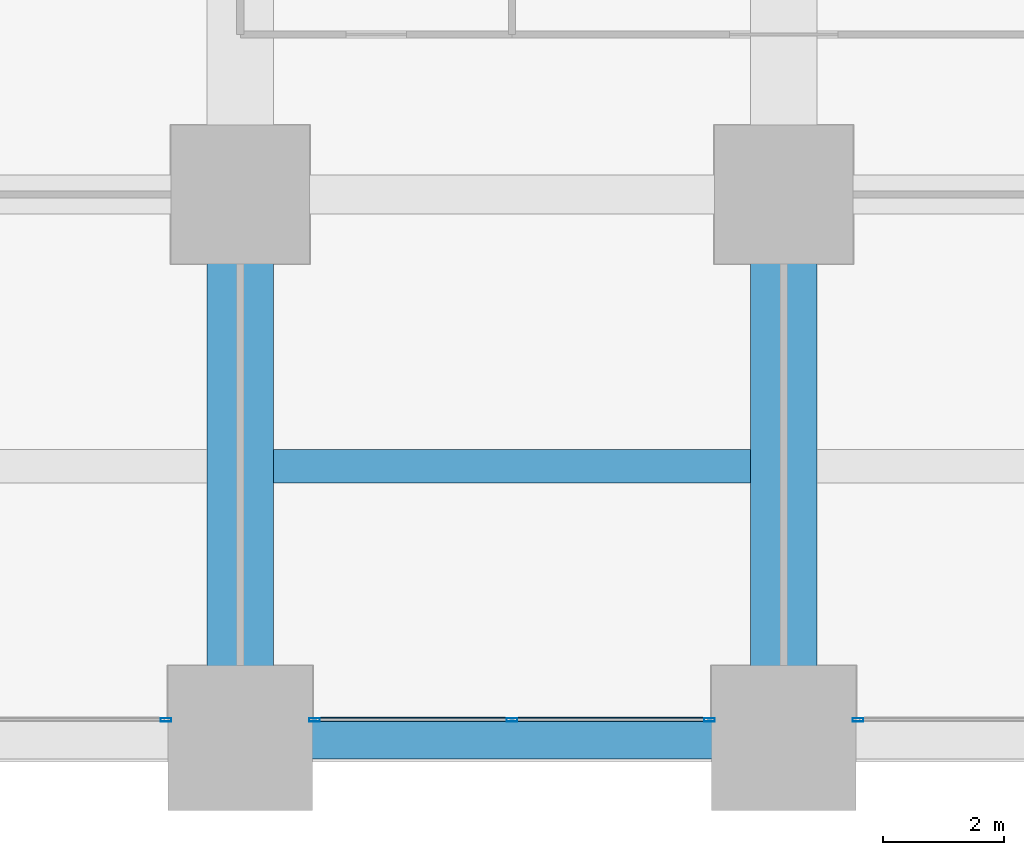
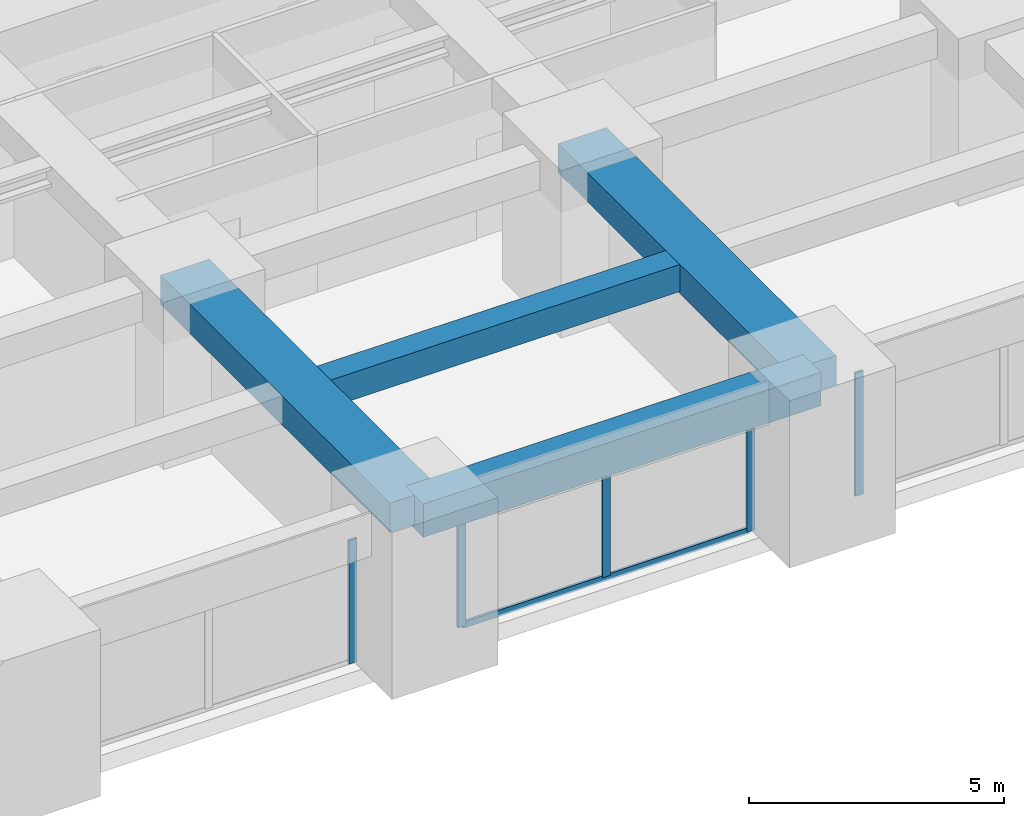
# One storey, part 10 of 38: 6 members, 4 beams, 3 elements without a shape of their own.
"""IFC4 building model written with IfcOpenShell, lengths in metres."""

from ifc_helpers import new_model, si_unit, direction, frame, origin, origin_2d, place, context, subcontext, project, spatial, rectangle, hollow_rectangle, extrude, material, material_profile, profile_set, type_object, element, aggregate, save


model = new_model("IFC4")

# Units and contexts
model_context = context("Model", 3, precision=1e-05, world=origin(), true_north=direction((0.0, 1.0)))
body_context = subcontext(model_context, "Body", "Model", "MODEL_VIEW")
ifc_project = project(units=[si_unit("LENGTHUNIT", "METRE"), si_unit("AREAUNIT", "SQUARE_METRE"), si_unit("VOLUMEUNIT", "CUBIC_METRE"), si_unit("PLANEANGLEUNIT", "RADIAN"), si_unit("MASSUNIT", "GRAM", prefix="KILO")], contexts=[model_context])

# Site, building, storey
site_placement = place(None, origin())
site = spatial("IfcSite", under=ifc_project, at=site_placement, CompositionType="ELEMENT")
building_placement = place(site_placement, origin())
building = spatial("IfcBuilding", under=site, at=building_placement, Name="Zorevar Civic Tower", CompositionType="ELEMENT")
storey_placement = place(building_placement, frame((0.0, 0.0, 15.800048828125)))
storey = spatial("IfcBuildingStorey", under=building, at=storey_placement, Name="L03", CompositionType="ELEMENT", Elevation=15.800048828125)

# Beams
ifc_material_1 = material(Name="Concrete C50/60", Category="concrete")
ifc_material_profile_1 = material_profile(ifc_material_1, rectangle(XDim=1.10009765625, YDim=0.699951171875, at=origin_2d()), Name="RC 1100x700")
ifc_profile_set_1 = profile_set([ifc_material_profile_1], Name="Concrete C50/60")
beam_type_1 = type_object("IfcBeamType", Name="Beam RC 1100x700", PredefinedType="BEAM", material=ifc_profile_set_1)
for number, where, z_axis, x_axis, name in (
    (1, (27.0, 0.0, 3.39990234375), (0.0, 1.0, 0.0), (-1.0, 0.0, 0.0), "Girder L04"),
    (2, (36.0, 0.0, 3.39990234375), (0.0, 1.0, 0.0), (-1.0, 0.0, 0.0), "Girder L04"),
):
    element("IfcBeam", number, at=place(storey_placement, frame(where, z_axis=z_axis, x_axis=x_axis)), inside=storey, type_object=beam_type_1, Name=name, PredefinedType="BEAM", context=body_context, shape_type="SweptSolid", body=[
        extrude(rectangle(XDim=1.10009765625, YDim=0.699951171875, at=origin_2d()), origin(), (0.0, 0.0, 1.0), 9.0),
    ])
ifc_material_2 = material(Name="Concrete C50/60", Category="concrete")
ifc_material_profile_2 = material_profile(ifc_material_2, rectangle(XDim=0.550048828125, YDim=0.64990234375, at=origin_2d()), Name="RC 550x650")
ifc_profile_set_2 = profile_set([ifc_material_profile_2], Name="Concrete C50/60")
beam_type_2 = type_object("IfcBeamType", Name="Beam RC 550x650", PredefinedType="BEAM", material=ifc_profile_set_2)
beam_1_placement = place(storey_placement, frame((27.550048828125, 4.5, 3.425048828125), z_axis=(1.0, 0.0, 0.0), x_axis=(0.0, 1.0, 0.0)))
element("IfcBeam", 3, at=beam_1_placement, inside=storey, type_object=beam_type_2, Name="Secondary beam L04", PredefinedType="BEAM", context=body_context, shape_type="SweptSolid", body=[
    extrude(rectangle(XDim=0.550048828125, YDim=0.64990234375, at=origin_2d()), origin(), (0.0, 0.0, 1.0), 7.89990234375),
])

# Curtain wall, member
ifc_material_3 = material(Name="Dark grey solar-control glass in black aluminium frame", Category="aluminium")
curtain_wall_type = type_object("IfcCurtainWallType", Name="Curtain wall CW2 low zone", PredefinedType="NOTDEFINED", material=ifc_material_3)
curtain_wall_1_placement = place(storey_placement, origin())
curtain_wall_1 = element("IfcCurtainWall", 4, at=curtain_wall_1_placement, inside=storey, type_object=curtain_wall_type, Name="CW2 L03", PredefinedType="NOTDEFINED")
ifc_material_4 = material(Name="Aluminium, black anodised", Category="aluminium")
ifc_material_profile_3 = material_profile(ifc_material_4, hollow_rectangle(XDim=0.06005859375, YDim=0.179931640625, WallThickness=0.00390625, at=origin_2d()), Name="AL 180x60x4")
ifc_profile_set_3 = profile_set([ifc_material_profile_3], Name="Aluminium, black anodised")
member_type_1 = type_object("IfcMemberType", Name="CW2 mullion AL 180x60x4", PredefinedType="MULLION", material=ifc_profile_set_3)
member_1_placement = place(storey_placement, frame((25.77001953125, 0.300048828125, 0.0), z_axis=(0.0, 0.0, 1.0), x_axis=(0.0, 1.0, 0.0)))
member_1 = element("IfcMember", 5, at=member_1_placement, type_object=member_type_1, Name="CW2 mullion 3", PredefinedType="MULLION", context=body_context, shape_type="SweptSolid", body=[
    extrude(hollow_rectangle(XDim=0.06005859375, YDim=0.179931640625, WallThickness=0.00390625, at=origin_2d()), origin(), (0.0, 0.0, 1.0), 2.949951171875),
])
aggregate(curtain_wall_1, [member_1])

# Curtain wall, members
curtain_wall_2_placement = place(storey_placement, origin())
curtain_wall_2 = element("IfcCurtainWall", 6, at=curtain_wall_2_placement, inside=storey, type_object=curtain_wall_type, Name="CW2 L03", PredefinedType="NOTDEFINED")
member_2_placement = place(storey_placement, frame((28.22998046875, 0.300048828125, 0.0), z_axis=(0.0, 0.0, 1.0), x_axis=(0.0, 1.0, 0.0)))
member_2 = element("IfcMember", 7, at=member_2_placement, type_object=member_type_1, Name="CW2 mullion 1", PredefinedType="MULLION", context=body_context, shape_type="SweptSolid", body=[
    extrude(hollow_rectangle(XDim=0.06005859375, YDim=0.179931640625, WallThickness=0.00390625, at=origin_2d()), origin(), (0.0, 0.0, 1.0), 2.949951171875),
])
member_3_placement = place(storey_placement, frame((31.5, 0.300048828125, 0.06005859375), z_axis=(0.0, 0.0, 1.0), x_axis=(0.0, 1.0, 0.0)))
member_3 = element("IfcMember", 8, at=member_3_placement, type_object=member_type_1, Name="CW2 mullion 2", PredefinedType="MULLION", context=body_context, shape_type="SweptSolid", body=[
    extrude(hollow_rectangle(XDim=0.06005859375, YDim=0.179931640625, WallThickness=0.00390625, at=origin_2d()), origin(), (0.0, 0.0, 1.0), 2.889892578125),
])
member_4_placement = place(storey_placement, frame((34.77001953125, 0.300048828125, 0.0), z_axis=(0.0, 0.0, 1.0), x_axis=(0.0, 1.0, 0.0)))
member_4 = element("IfcMember", 9, at=member_4_placement, type_object=member_type_1, Name="CW2 mullion 3", PredefinedType="MULLION", context=body_context, shape_type="SweptSolid", body=[
    extrude(hollow_rectangle(XDim=0.06005859375, YDim=0.179931640625, WallThickness=0.00390625, at=origin_2d()), origin(), (0.0, 0.0, 1.0), 2.949951171875),
])

# Curtain wall, member
curtain_wall_3_placement = place(storey_placement, origin())
curtain_wall_3 = element("IfcCurtainWall", 10, at=curtain_wall_3_placement, inside=storey, type_object=curtain_wall_type, Name="CW2 L03", PredefinedType="NOTDEFINED")
member_5_placement = place(storey_placement, frame((37.22998046875, 0.300048828125, 0.0), z_axis=(0.0, 0.0, 1.0), x_axis=(0.0, 1.0, 0.0)))
member_5 = element("IfcMember", 11, at=member_5_placement, type_object=member_type_1, Name="CW2 mullion 1", PredefinedType="MULLION", context=body_context, shape_type="SweptSolid", body=[
    extrude(hollow_rectangle(XDim=0.06005859375, YDim=0.179931640625, WallThickness=0.00390625, at=origin_2d()), origin(), (0.0, 0.0, 1.0), 2.949951171875),
])
aggregate(curtain_wall_3, [member_5])

# Member
ifc_material_5 = material(Name="Aluminium, black anodised", Category="aluminium")
ifc_material_profile_4 = material_profile(ifc_material_5, hollow_rectangle(XDim=0.06005859375, YDim=0.14990234375, WallThickness=0.00390625, at=origin_2d()), Name="AL 150x60x4")
ifc_profile_set_4 = profile_set([ifc_material_profile_4], Name="Aluminium, black anodised")
member_type_2 = type_object("IfcMemberType", Name="CW2 transom AL 150x60x4", PredefinedType="USERDEFINED", material=ifc_profile_set_4)
member_6_placement = place(storey_placement, frame((28.260009765625, 0.300048828125, 0.030029296875), z_axis=(1.0, 0.0, 0.0), x_axis=(0.0, 1.0, 0.0)))
member_6 = element("IfcMember", 12, at=member_6_placement, type_object=member_type_2, Name="CW2 sill transom", ObjectType="TRANSOM", PredefinedType="USERDEFINED", context=body_context, shape_type="SweptSolid", body=[
    extrude(hollow_rectangle(XDim=0.06005859375, YDim=0.14990234375, WallThickness=0.00390625, at=origin_2d()), origin(), (0.0, 0.0, 1.0), 6.47998046875),
])

aggregate(curtain_wall_2, [member_2, member_3, member_4, member_6])

# Beam
ifc_material_6 = material(Name="Concrete C50/60", Category="concrete")
ifc_material_profile_5 = material_profile(ifc_material_6, rectangle(XDim=0.699951171875, YDim=0.800048828125, at=origin_2d()), Name="RC 700x800")
ifc_profile_set_5 = profile_set([ifc_material_profile_5], Name="Concrete C50/60")
beam_type_3 = type_object("IfcBeamType", Name="Edge beam RC 700x800", PredefinedType="SPANDREL", material=ifc_profile_set_5)
beam_2_placement = place(storey_placement, frame((27.0, 0.0, 3.349853515625), z_axis=(1.0, 0.0, 0.0), x_axis=(0.0, 1.0, 0.0)))
element("IfcBeam", 13, at=beam_2_placement, inside=storey, type_object=beam_type_3, Name="Edge beam L04", PredefinedType="SPANDREL", context=body_context, shape_type="SweptSolid", body=[
    extrude(rectangle(XDim=0.699951171875, YDim=0.800048828125, at=origin_2d()), origin(), (0.0, 0.0, 1.0), 9.0),
])

save(model, "model.ifc")
